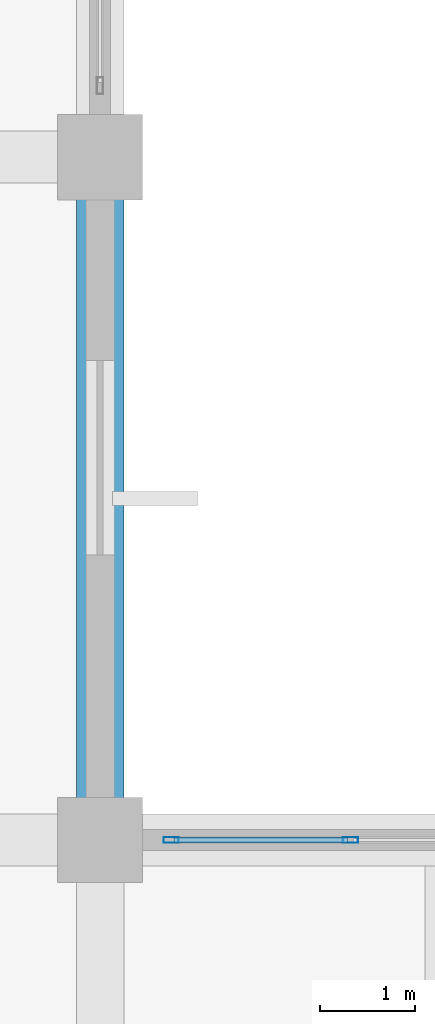
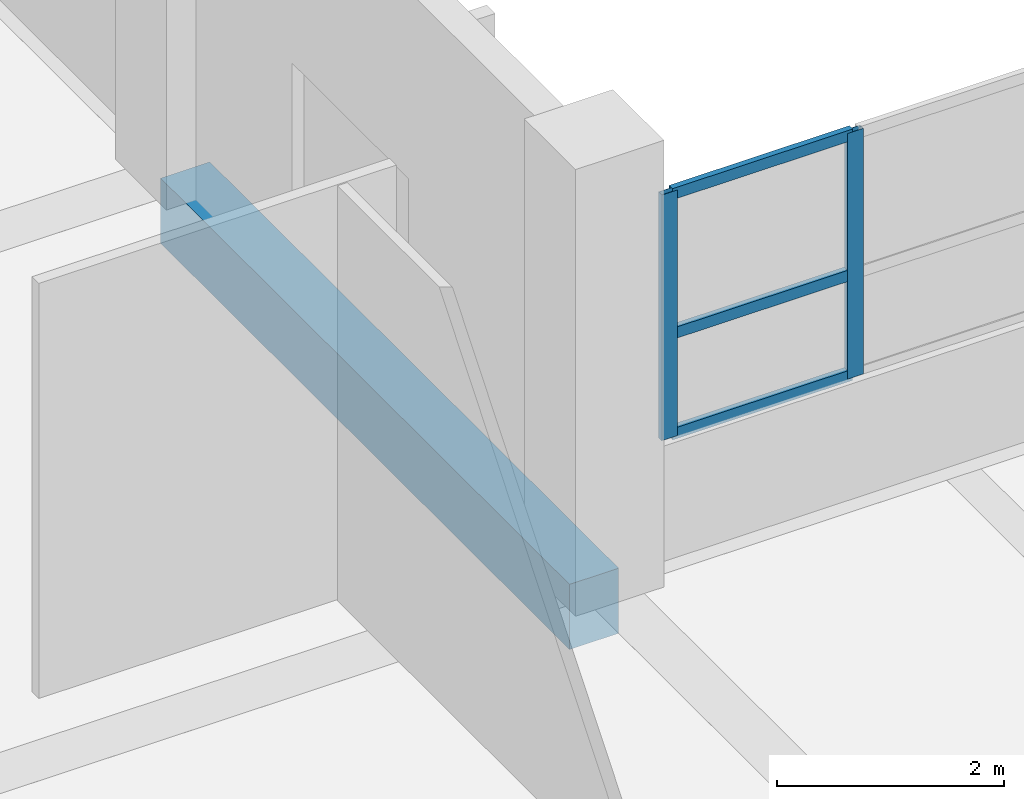
# One storey, part 51 of 181: 5 members, 1 beam, 1 element without a shape of its own.
"""IFC4 building model written with IfcOpenShell, lengths in metres."""

from ifc_helpers import new_model, si_unit, direction, frame, origin, origin_2d, place, context, subcontext, project, spatial, rectangle, hollow_rectangle, extrude, material, layer, layer_set, material_profile, profile_set, type_object, element, aggregate, save


model = new_model("IFC4")

# Units and contexts
model_context = context("Model", 3, precision=1e-05, world=origin(), true_north=direction((0.0, 1.0)))
body_context = subcontext(model_context, "Body", "Model", "MODEL_VIEW")
ifc_project = project(units=[si_unit("LENGTHUNIT", "METRE"), si_unit("AREAUNIT", "SQUARE_METRE"), si_unit("VOLUMEUNIT", "CUBIC_METRE"), si_unit("PLANEANGLEUNIT", "RADIAN"), si_unit("MASSUNIT", "GRAM", prefix="KILO")], contexts=[model_context])

# Site, building, storey
site_placement = place(None, origin())
site = spatial("IfcSite", under=ifc_project, at=site_placement, CompositionType="ELEMENT")
building_placement = place(site_placement, origin())
building = spatial("IfcBuilding", under=site, at=building_placement, Name="Seraya Terrace Polytechnic", CompositionType="ELEMENT")
storey_placement = place(building_placement, frame((0.0, 0.0, 4.800048828125)))
storey = spatial("IfcBuildingStorey", under=building, at=storey_placement, Name="L01", CompositionType="ELEMENT", Elevation=4.800048828125)

# Beam
ifc_material_1 = material(Name="Concrete C40/50", Category="concrete")
ifc_material_profile_1 = material_profile(ifc_material_1, rectangle(XDim=0.5, YDim=0.699951171875, at=origin_2d()), Name="RC 500x700")
ifc_profile_set_1 = profile_set([ifc_material_profile_1], Name="Concrete C40/50")
beam_type = type_object("IfcBeamType", Name="BM-07", PredefinedType="BEAM", material=ifc_profile_set_1)
beam_placement = place(storey_placement, frame((108.0, 36.0, -0.35009765625), z_axis=(0.0, 1.0, 0.0), x_axis=(-1.0, 0.0, 0.0)))
element("IfcBeam", 1, at=beam_placement, inside=storey, type_object=beam_type, Name="Beam BM-07 L01 Y (108.0, 36.0..43.2)", PredefinedType="BEAM", context=body_context, shape_type="SweptSolid", body=[
    extrude(rectangle(XDim=0.5, YDim=0.699951171875, at=origin_2d()), origin(), (0.0, 0.0, 1.0), 7.199951171875),
])

# Curtain wall, members
ifc_material_2 = material(Name="Anodised aluminium EN AW-6063 T6", Category="aluminium")
ifc_layer = layer(ifc_material_2, 0.179931640625, Name="CW-17")
ifc_layer_set = layer_set([ifc_layer], Name="Anodised aluminium EN AW-6063 T6")
curtain_wall_type = type_object("IfcCurtainWallType", Name="CW-17", PredefinedType="NOTDEFINED", material=ifc_layer_set)
curtain_wall_placement = place(storey_placement, origin())
curtain_wall = element("IfcCurtainWall", 2, at=curtain_wall_placement, inside=storey, type_object=curtain_wall_type, Name="Unitised curtain wall CW-17 (CW-L01-053)", PredefinedType="NOTDEFINED")
ifc_material_profile_2 = material_profile(ifc_material_2, hollow_rectangle(XDim=0.06005859375, YDim=0.159912109375, WallThickness=0.00341796875, at=origin_2d()), Name="RHS 160x60x3.5")
ifc_profile_set_2 = profile_set([ifc_material_profile_2], Name="Anodised aluminium EN AW-6063 T6")
member_type_1 = type_object("IfcMemberType", Name="CWM-02", PredefinedType="MULLION", material=ifc_profile_set_2)
member_1_placement = place(storey_placement, frame((108.75, 36.0, 1.239990234375), z_axis=(0.0, 0.0, 1.0), x_axis=(0.0, 1.0, 0.0)))
member_1 = element("IfcMember", 3, at=member_1_placement, type_object=member_type_1, Name="CW-17 mullion 1", PredefinedType="MULLION", context=body_context, shape_type="SweptSolid", body=[
    extrude(hollow_rectangle(XDim=0.06005859375, YDim=0.159912109375, WallThickness=0.00341796875, at=origin_2d()), origin(), (0.0, 0.0, 1.0), 2.639892578125),
])
member_2_placement = place(storey_placement, frame((110.639892578125, 36.0, 1.239990234375), z_axis=(0.0, 0.0, 1.0), x_axis=(0.0, 1.0, 0.0)))
member_2 = element("IfcMember", 4, at=member_2_placement, type_object=member_type_1, Name="CW-17 mullion 2", PredefinedType="MULLION", context=body_context, shape_type="SweptSolid", body=[
    extrude(hollow_rectangle(XDim=0.06005859375, YDim=0.159912109375, WallThickness=0.00341796875, at=origin_2d()), origin(), (0.0, 0.0, 1.0), 2.639892578125),
])
ifc_material_profile_3 = material_profile(ifc_material_2, hollow_rectangle(XDim=0.06005859375, YDim=0.1201171875, WallThickness=0.003173828125, at=origin_2d()), Name="RHS 120x60x3.2")
ifc_profile_set_3 = profile_set([ifc_material_profile_3], Name="Anodised aluminium EN AW-6063 T6")
member_type_2 = type_object("IfcMemberType", Name="CWT-02", PredefinedType="USERDEFINED", material=ifc_profile_set_3)
member_3_placement = place(storey_placement, frame((108.780029296875, 36.0, 1.27001953125), z_axis=(1.0, 0.0, 0.0), x_axis=(0.0, 1.0, 0.0)))
member_3 = element("IfcMember", 5, at=member_3_placement, type_object=member_type_2, Name="CW-17 transom 1.1", ObjectType="TRANSOM", PredefinedType="USERDEFINED", context=body_context, shape_type="SweptSolid", body=[
    extrude(hollow_rectangle(XDim=0.06005859375, YDim=0.1201171875, WallThickness=0.003173828125, at=origin_2d()), origin(), (0.0, 0.0, 1.0), 1.830078125),
])
member_4_placement = place(storey_placement, frame((108.780029296875, 36.0, 2.3486328125), z_axis=(1.0, 0.0, 0.0), x_axis=(0.0, 1.0, 0.0)))
member_4 = element("IfcMember", 6, at=member_4_placement, type_object=member_type_2, Name="CW-17 transom 1.2", ObjectType="TRANSOM", PredefinedType="USERDEFINED", context=body_context, shape_type="SweptSolid", body=[
    extrude(hollow_rectangle(XDim=0.06005859375, YDim=0.1201171875, WallThickness=0.003173828125, at=origin_2d()), origin(), (0.0, 0.0, 1.0), 1.830078125),
])
member_5_placement = place(storey_placement, frame((108.780029296875, 36.0, 3.849853515625), z_axis=(1.0, 0.0, 0.0), x_axis=(0.0, 1.0, 0.0)))
member_5 = element("IfcMember", 7, at=member_5_placement, type_object=member_type_2, Name="CW-17 transom 1.3", ObjectType="TRANSOM", PredefinedType="USERDEFINED", context=body_context, shape_type="SweptSolid", body=[
    extrude(hollow_rectangle(XDim=0.06005859375, YDim=0.1201171875, WallThickness=0.003173828125, at=origin_2d()), origin(), (0.0, 0.0, 1.0), 1.830078125),
])
aggregate(curtain_wall, [member_1, member_2, member_3, member_4, member_5])

save(model, "model.ifc")
